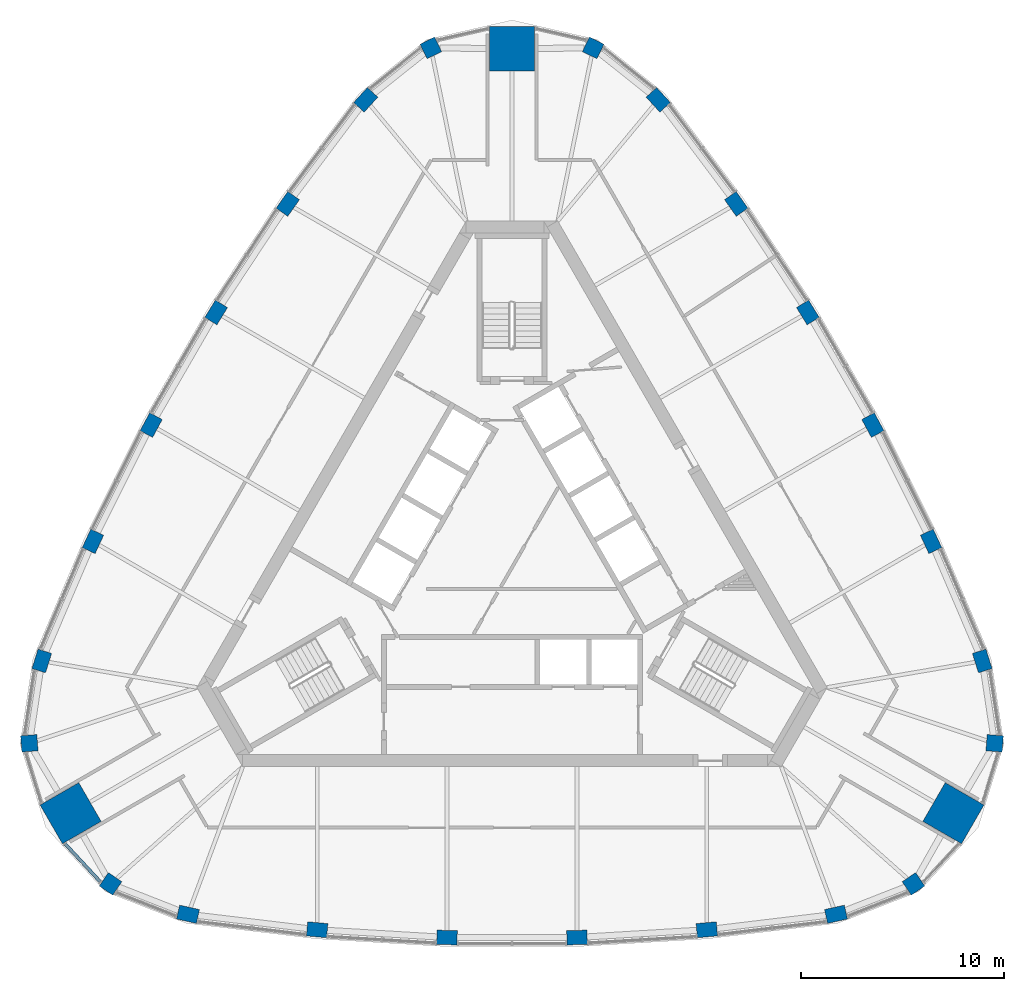
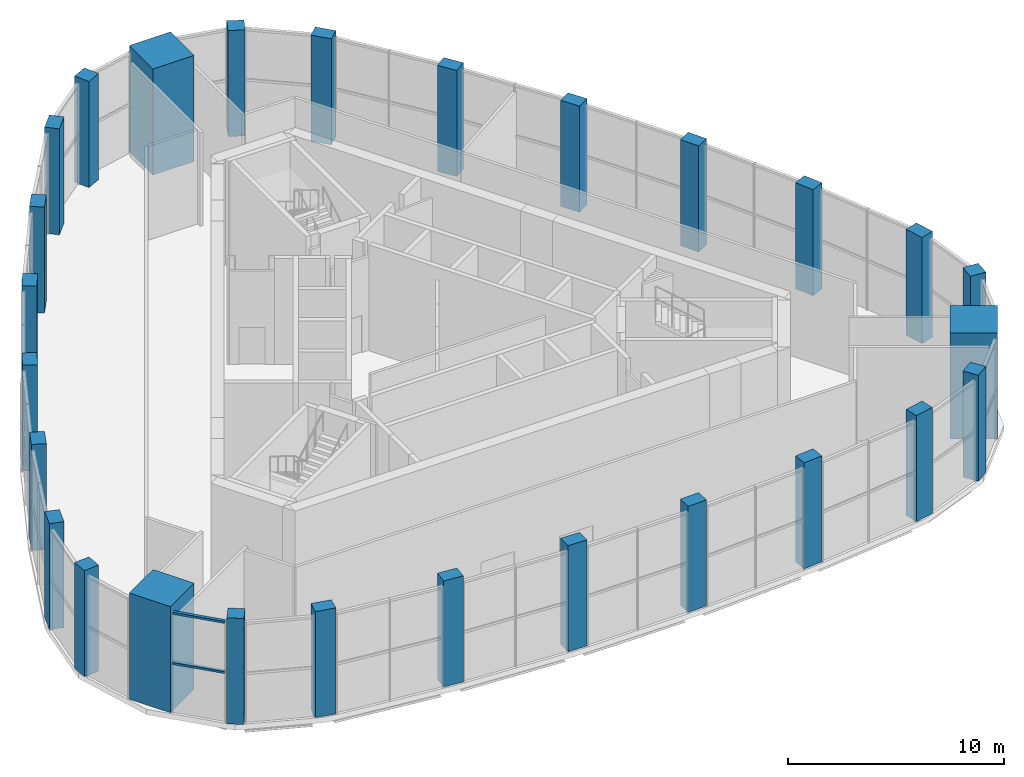
# One storey, part 1 of 15: 27 columns, 2 members, 1 element without a shape of its own.
"""IFC4 building model written with IfcOpenShell, lengths in metres."""

from ifc_helpers import new_model, si_unit, direction, frame, origin, origin_2d, place, context, subcontext, project, spatial, rectangle, extrude, material, material_profile, profile_set, type_object, element, aggregate, save


model = new_model("IFC4")

# Units and contexts
model_context = context("Model", 3, precision=1e-05, world=origin(), true_north=direction((0.0, 1.0)))
body_context = subcontext(model_context, "Body", "Model", "MODEL_VIEW")
ifc_project = project(units=[si_unit("LENGTHUNIT", "METRE"), si_unit("AREAUNIT", "SQUARE_METRE"), si_unit("VOLUMEUNIT", "CUBIC_METRE"), si_unit("PLANEANGLEUNIT", "RADIAN"), si_unit("MASSUNIT", "GRAM", prefix="KILO")], contexts=[model_context])

# Site, building, storey
site_placement = place(None, origin())
site = spatial("IfcSite", under=ifc_project, at=site_placement, CompositionType="ELEMENT")
building_placement = place(site_placement, origin())
building = spatial("IfcBuilding", under=site, at=building_placement, Name="Mestral Congress Tower", CompositionType="ELEMENT")
storey_placement = place(building_placement, frame((0.0, 0.0, 321.60009765625)))
storey = spatial("IfcBuildingStorey", under=building, at=storey_placement, Name="L75", CompositionType="ELEMENT", Elevation=321.60009765625)

# Columns
ifc_material_1 = material(Name="Concrete C60/75", Category="concrete")
ifc_material_profile_1 = material_profile(ifc_material_1, rectangle(XDim=1.0, YDim=0.699951171875, at=origin_2d()), Name="RC 1000x700")
ifc_profile_set_1 = profile_set([ifc_material_profile_1], Name="Concrete C60/75")
column_type_1 = type_object("IfcColumnType", Name="Column RC 1000x700 C60/75", PredefinedType="COLUMN", material=ifc_profile_set_1)
for number, where, z_axis, x_axis, name in (
    (1, (-15.940673828125, -17.511962890625, 0.0), (0.0, 0.0, 1.0), (0.976233636503, -0.216720758026, 0.0), "COL-L75-C5-S00"),
    (2, (-9.587158203125, -18.273681640625, 0.0), (0.0, 0.0, 1.0), (0.995997816519, -0.089377567035, 0.0), "COL-L75-C5-S01"),
    (3, (-3.199462890625, -18.6552734375, 0.0), (0.0, 0.0, 1.0), (0.999555031657, -0.029828487872, 0.0), "COL-L75-C5-S02"),
    (4, (3.199462890625, -18.6552734375, 0.0), (0.0, 0.0, 1.0), (0.999555031657, 0.029828487872, 0.0), "COL-L75-C5-S03"),
    (5, (9.587158203125, -18.273681640625, 0.0), (0.0, 0.0, 1.0), (0.995997816519, 0.089377567035, 0.0), "COL-L75-C5-S04"),
    (6, (15.940673828125, -17.511962890625, 0.0), (0.0, 0.0, 1.0), (0.976233636503, 0.216720758026, 0.0), "COL-L75-C5-S05"),
    (7, (23.135986328125, -5.049072265625, 0.0), (0.0, 0.0, 1.0), (-0.300431136274, 0.953803508254, 0.0), "COL-L75-C5-E00"),
    (8, (20.618896484375, 0.833984375, 0.0), (0.0, 0.0, 1.0), (-0.420595664679, 0.907248194737, 0.0), "COL-L75-C5-E01"),
    (9, (17.755615234375, 6.556640625, 0.0), (0.0, 0.0, 1.0), (-0.473945287575, 0.880554293832, 0.0), "COL-L75-C5-E02"),
    (10, (14.55615234375, 12.098388671875, 0.0), (0.0, 0.0, 1.0), (-0.525609744083, 0.850725805959, 0.0), "COL-L75-C5-E03"),
    (11, (11.031982421875, 17.439697265625, 0.0), (0.0, 0.0, 1.0), (-0.57540215184, 0.817870627702, 0.0), "COL-L75-C5-E04"),
    (12, (7.1953125, 22.56103515625, 0.0), (0.0, 0.0, 1.0), (-0.67580250023, 0.737082750228, 0.0), "COL-L75-C5-E05"),
    (13, (-7.1953125, 22.56103515625, 0.0), (0.0, 0.0, 1.0), (-0.67580250023, -0.737082750228, 0.0), "COL-L75-C5-W00"),
    (14, (-11.031982421875, 17.439697265625, 0.0), (0.0, 0.0, 1.0), (-0.57540215184, -0.817870627702, 0.0), "COL-L75-C5-W01"),
    (15, (-14.55615234375, 12.098388671875, 0.0), (0.0, 0.0, 1.0), (-0.525609744083, -0.850725805959, 0.0), "COL-L75-C5-W02"),
    (16, (-17.755615234375, 6.556640625, 0.0), (0.0, 0.0, 1.0), (-0.473945287575, -0.880554293832, 0.0), "COL-L75-C5-W03"),
    (17, (-20.618896484375, 0.833984375, 0.0), (0.0, 0.0, 1.0), (-0.420595664679, -0.907248194737, 0.0), "COL-L75-C5-W04"),
    (18, (-23.135986328125, -5.049072265625, 0.0), (0.0, 0.0, 1.0), (-0.300431136274, -0.953803508254, 0.0), "COL-L75-C5-W05"),
):
    element("IfcColumn", number, at=place(storey_placement, frame(where, z_axis=z_axis, x_axis=x_axis)), inside=storey, type_object=column_type_1, Name=name, PredefinedType="COLUMN", context=body_context, shape_type="SweptSolid", body=[
        extrude(rectangle(XDim=1.0, YDim=0.699951171875, at=origin_2d()), origin(), (0.0, 0.0, 1.0), 6.0),
    ])
ifc_material_profile_2 = material_profile(ifc_material_1, rectangle(XDim=0.800048828125, YDim=0.800048828125, at=origin_2d()), Name="RC 800x800")
ifc_profile_set_2 = profile_set([ifc_material_profile_2], Name="Concrete C60/75")
column_type_2 = type_object("IfcColumnType", Name="Column RC 800x800 C60/75", PredefinedType="COLUMN", material=ifc_profile_set_2)
for number, where, z_axis, x_axis, name in (
    (19, (19.75439453125, -16.0166015625, 0.0), (0.0, 0.0, 1.0), (0.826362775296, 0.563138139008, 0.0), "COL-L75-C5-SE1"),
    (20, (23.748046875, -9.099609375, 0.0), (0.0, 0.0, 1.0), (0.074510546573, 0.997220225652, 0.0), "COL-L75-C5-SE3"),
    (21, (3.993408203125, 25.1162109375, 0.0), (0.0, 0.0, 1.0), (-0.900873321869, 0.434082086644, 0.0), "COL-L75-C5-N1"),
    (22, (-3.993408203125, 25.1162109375, 0.0), (0.0, 0.0, 1.0), (-0.900873321869, -0.434082086644, 0.0), "COL-L75-C5-N3"),
    (23, (-23.748046875, -9.099609375, 0.0), (0.0, 0.0, 1.0), (0.074510546573, -0.997220225652, 0.0), "COL-L75-C5-SW1"),
    (24, (-19.75439453125, -16.0166015625, 0.0), (0.0, 0.0, 1.0), (0.826362775296, -0.563138139008, 0.0), "COL-L75-C5-SW3"),
):
    element("IfcColumn", number, at=place(storey_placement, frame(where, z_axis=z_axis, x_axis=x_axis)), inside=storey, type_object=column_type_2, Name=name, PredefinedType="COLUMN", context=body_context, shape_type="SweptSolid", body=[
        extrude(rectangle(XDim=0.800048828125, YDim=0.800048828125, at=origin_2d()), origin(), (0.0, 0.0, 1.0), 6.0),
    ])
ifc_material_profile_3 = material_profile(ifc_material_1, rectangle(XDim=2.199951171875, YDim=2.199951171875, at=origin_2d()), Name="RC 2200x2200")
ifc_profile_set_3 = profile_set([ifc_material_profile_3], Name="Concrete C60/75")
column_type_3 = type_object("IfcColumnType", Name="Mega column RC 2200x2200 C60/75", PredefinedType="COLUMN", material=ifc_profile_set_3)
for number, where, z_axis, x_axis, name in (
    (25, (21.71826171875, -12.5390625, 0.0), (0.0, 0.0, 1.0), (0.866025403784, -0.5, 0.0), "COL-L75-PY5-SE"),
    (26, (0.0, 25.078125, 0.0), (0.0, 0.0, 1.0), (0.0, 1.0, 0.0), "COL-L75-PY5-N"),
    (27, (-21.71826171875, -12.5390625, 0.0), (0.0, 0.0, 1.0), (-0.866025403784, -0.5, 0.0), "COL-L75-PY5-SW"),
):
    element("IfcColumn", number, at=place(storey_placement, frame(where, z_axis=z_axis, x_axis=x_axis)), inside=storey, type_object=column_type_3, Name=name, PredefinedType="COLUMN", context=body_context, shape_type="SweptSolid", body=[
        extrude(rectangle(XDim=2.199951171875, YDim=2.199951171875, at=origin_2d()), origin(), (0.0, 0.0, 1.0), 6.0),
    ])

# Curtain wall, members
ifc_material_2 = material(Name="Clear low-emissivity double glazing", Category="glass")
curtain_wall_type = type_object("IfcCurtainWallType", Name="Facade lookout lounge curtain wall", PredefinedType="USERDEFINED", material=ifc_material_2)
curtain_wall_placement = place(storey_placement, origin())
curtain_wall = element("IfcCurtainWall", 28, at=curtain_wall_placement, inside=storey, type_object=curtain_wall_type, Name="Facade lookout lounge curtain wall corner 3", ObjectType="CURTAIN WALL", PredefinedType="USERDEFINED")
ifc_material_3 = material(Name="Anodised aluminium", Category="aluminium")
ifc_material_profile_4 = material_profile(ifc_material_3, rectangle(XDim=0.159912109375, YDim=0.1201171875, at=origin_2d()), Name="CW2 transom 160 x 120")
ifc_profile_set_4 = profile_set([ifc_material_profile_4], Name="Anodised aluminium")
member_type = type_object("IfcMemberType", Name="Facade lookout lounge curtain wall transom", PredefinedType="USERDEFINED", material=ifc_profile_set_4)
member_1_placement = place(storey_placement, frame((-21.98388671875, -14.055419921875, 2.7998046875), z_axis=(0.680288022938, -0.732944885955, 0.0), x_axis=(0.732944885955, 0.680288022938, 0.0)))
member_1 = element("IfcMember", 29, at=member_1_placement, type_object=member_type, Name="Facade lookout lounge curtain wall transom", ObjectType="TRANSOM", PredefinedType="USERDEFINED", context=body_context, shape_type="SweptSolid", body=[
    extrude(rectangle(XDim=0.159912109375, YDim=0.1201171875, at=origin_2d()), origin(), (0.0, 0.0, 1.0), 2.52685546875),
])
member_2_placement = place(storey_placement, frame((-21.98388671875, -14.055419921875, 5.639892578125), z_axis=(0.680288022938, -0.732944885955, 0.0), x_axis=(0.732944885955, 0.680288022938, 0.0)))
member_2 = element("IfcMember", 30, at=member_2_placement, type_object=member_type, Name="Facade lookout lounge curtain wall transom", ObjectType="TRANSOM", PredefinedType="USERDEFINED", context=body_context, shape_type="SweptSolid", body=[
    extrude(rectangle(XDim=0.159912109375, YDim=0.1201171875, at=origin_2d()), origin(), (0.0, 0.0, 1.0), 2.52685546875),
])
aggregate(curtain_wall, [member_1, member_2])

save(model, "model.ifc")
